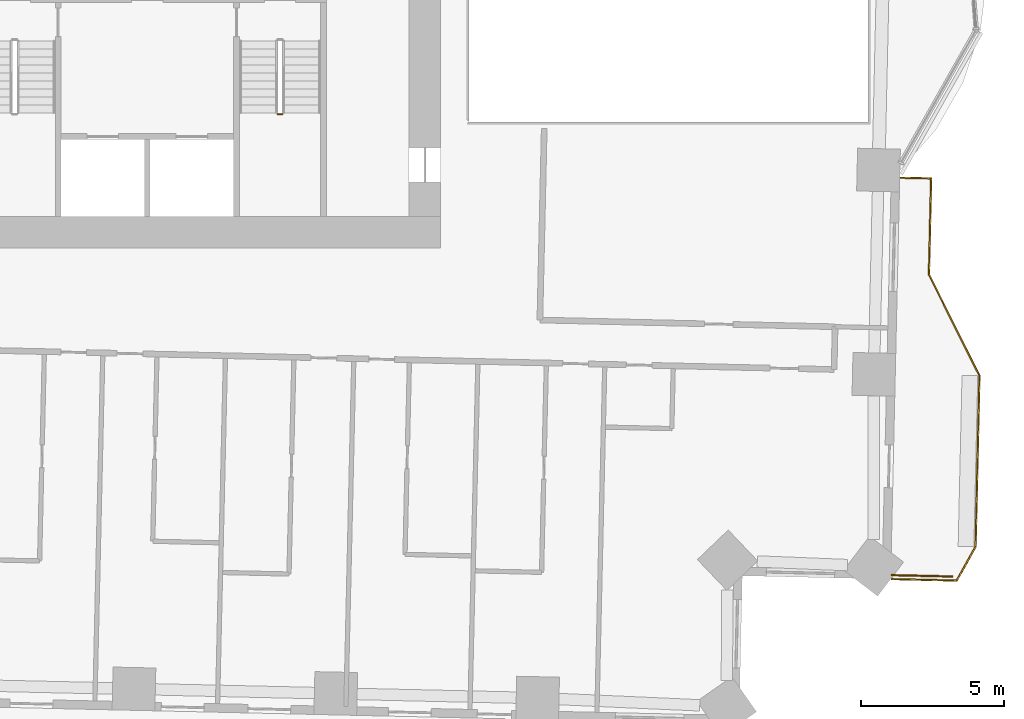
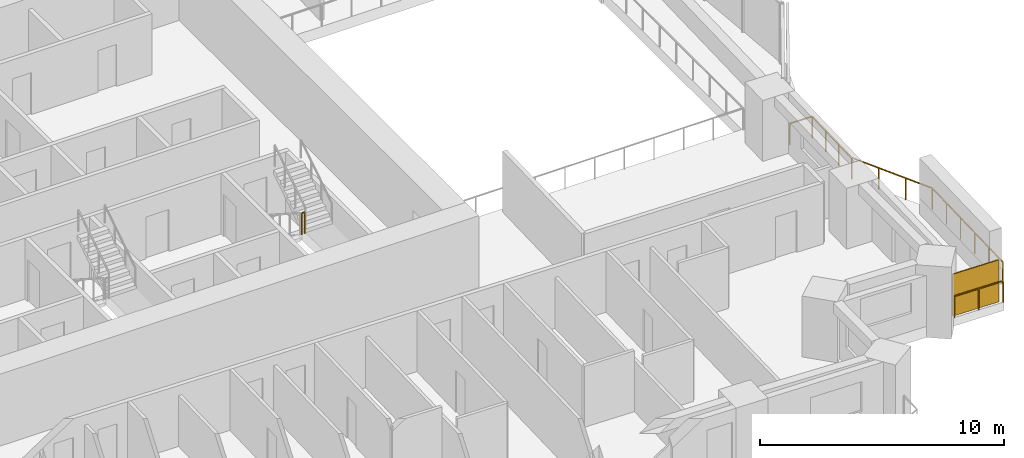
# One storey, part 18 of 20: 2 railings, 1 shading device.
"""IFC4 building model written with IfcOpenShell, lengths in metres."""

from ifc_helpers import new_model, si_unit, direction, frame, origin, origin_2d, place, context, subcontext, project, spatial, rectangle, extrude, material, type_object, element, save


model = new_model("IFC4")

# Units and contexts
model_context = context("Model", 3, precision=1e-05, world=origin(), true_north=direction((0.0, 1.0)))
body_context = subcontext(model_context, "Body", "Model", "MODEL_VIEW")
ifc_project = project(units=[si_unit("LENGTHUNIT", "METRE"), si_unit("AREAUNIT", "SQUARE_METRE"), si_unit("VOLUMEUNIT", "CUBIC_METRE"), si_unit("PLANEANGLEUNIT", "RADIAN"), si_unit("MASSUNIT", "GRAM", prefix="KILO")], contexts=[model_context])

# Site, building, storey
site_placement = place(None, origin())
site = spatial("IfcSite", under=ifc_project, at=site_placement, CompositionType="ELEMENT")
building_placement = place(site_placement, origin())
building = spatial("IfcBuilding", under=site, at=building_placement, Name="Mangrove Gate Tower", CompositionType="ELEMENT")
storey_placement = place(building_placement, frame((0.0, 0.0, 60.300048828125)))
storey = spatial("IfcBuildingStorey", under=building, at=storey_placement, Name="L14", CompositionType="ELEMENT", Elevation=60.300048828125)

# Railing
ifc_material_1 = material(Name="Stainless steel grade 316 with laminated glass infill", Category="steel")
railing_type_1 = type_object("IfcRailingType", Name="Balcony guard 1100", PredefinedType="GUARDRAIL", material=ifc_material_1)
railing_1_placement = place(storey_placement, frame((30.718994140625, -23.51611328125, 0.0)))
element("IfcRailing", 1, at=railing_1_placement, inside=storey, type_object=railing_type_1, Name="GUARD L14 E1", PredefinedType="GUARDRAIL", context=body_context, shape_type="SweptSolid", body=[
    extrude(rectangle(XDim=0.048095703125, YDim=0.048095703125, at=origin_2d()), frame((0.0, 0.0, 1.076171875), z_axis=(0.999739115747, -0.022840762807, 0.0), x_axis=(0.022840762807, 0.999739115747, 0.0)), (0.0, 0.0, 1.0), 2.276611328125),
    extrude(rectangle(XDim=0.048095703125, YDim=0.048095703125, at=origin_2d()), frame((2.276123046875, -0.052001953125, 1.076171875), z_axis=(0.487063035978, 0.873366818115, 0.0), x_axis=(-0.873366818115, 0.487063035978, 0.0)), (0.0, 0.0, 1.0), 1.35693359375),
    extrude(rectangle(XDim=0.048095703125, YDim=0.048095703125, at=origin_2d()), frame((2.93701171875, 1.133056640625, 1.076171875), z_axis=(0.022662255828, 0.999743178102, 0.0), x_axis=(-0.999743178102, 0.022662255828, 0.0)), (0.0, 0.0, 1.0), 6.00048828125),
    extrude(rectangle(XDim=0.048095703125, YDim=0.048095703125, at=origin_2d()), frame((3.072998046875, 7.132080078125, 1.076171875), z_axis=(-0.447114919141, 0.894476522376, 0.0), x_axis=(-0.894476522376, -0.447114919141, 0.0)), (0.0, 0.0, 1.0), 3.958740234375),
    extrude(rectangle(XDim=0.048095703125, YDim=0.048095703125, at=origin_2d()), frame((1.302978515625, 10.673095703125, 1.076171875), z_axis=(0.022497922048, 0.999746889719, 0.0), x_axis=(-0.999746889719, 0.022497922048, 0.0)), (0.0, 0.0, 1.0), 3.374755859375),
    extrude(rectangle(XDim=0.048095703125, YDim=0.048095703125, at=origin_2d()), frame((1.37890625, 14.047119140625, 1.076171875), z_axis=(-0.999744802133, 0.022590498181, 0.0), x_axis=(-0.022590498181, -0.999744802133, 0.0)), (0.0, 0.0, 1.0), 1.05908203125),
    extrude(rectangle(XDim=0.0419921875, YDim=0.0419921875, at=origin_2d()), origin(), (0.0, 0.0, 1.0), 1.052001953125),
    extrude(rectangle(XDim=0.0419921875, YDim=0.0419921875, at=origin_2d()), frame((1.13818359375, -0.02587890625, 0.0)), (0.0, 0.0, 1.0), 1.052001953125),
    extrude(rectangle(XDim=0.0419921875, YDim=0.0419921875, at=origin_2d()), frame((2.276123046875, -0.052001953125, 0.0)), (0.0, 0.0, 1.0), 1.052001953125),
    extrude(rectangle(XDim=0.0419921875, YDim=0.0419921875, at=origin_2d()), frame((2.93701171875, 1.133056640625, 0.0)), (0.0, 0.0, 1.0), 1.052001953125),
    extrude(rectangle(XDim=0.0419921875, YDim=0.0419921875, at=origin_2d()), frame((2.964111328125, 2.332763671875, 0.0)), (0.0, 0.0, 1.0), 1.052001953125),
    extrude(rectangle(XDim=0.0419921875, YDim=0.0419921875, at=origin_2d()), frame((2.991455078125, 3.53271484375, 0.0)), (0.0, 0.0, 1.0), 1.052001953125),
    extrude(rectangle(XDim=0.0419921875, YDim=0.0419921875, at=origin_2d()), frame((3.0185546875, 4.732421875, 0.0)), (0.0, 0.0, 1.0), 1.052001953125),
    extrude(rectangle(XDim=0.0419921875, YDim=0.0419921875, at=origin_2d()), frame((3.0458984375, 5.932373046875, 0.0)), (0.0, 0.0, 1.0), 1.052001953125),
    extrude(rectangle(XDim=0.0419921875, YDim=0.0419921875, at=origin_2d()), frame((3.072998046875, 7.132080078125, 0.0)), (0.0, 0.0, 1.0), 1.052001953125),
    extrude(rectangle(XDim=0.0419921875, YDim=0.0419921875, at=origin_2d()), frame((2.48291015625, 8.3125, 0.0)), (0.0, 0.0, 1.0), 1.052001953125),
    extrude(rectangle(XDim=0.0419921875, YDim=0.0419921875, at=origin_2d()), frame((1.89306640625, 9.49267578125, 0.0)), (0.0, 0.0, 1.0), 1.052001953125),
    extrude(rectangle(XDim=0.0419921875, YDim=0.0419921875, at=origin_2d()), frame((1.302978515625, 10.673095703125, 0.0)), (0.0, 0.0, 1.0), 1.052001953125),
    extrude(rectangle(XDim=0.0419921875, YDim=0.0419921875, at=origin_2d()), frame((1.328369140625, 11.7978515625, 0.0)), (0.0, 0.0, 1.0), 1.052001953125),
    extrude(rectangle(XDim=0.0419921875, YDim=0.0419921875, at=origin_2d()), frame((1.353515625, 12.92236328125, 0.0)), (0.0, 0.0, 1.0), 1.052001953125),
    extrude(rectangle(XDim=0.0419921875, YDim=0.0419921875, at=origin_2d()), frame((1.37890625, 14.047119140625, 0.0)), (0.0, 0.0, 1.0), 1.052001953125),
    extrude(rectangle(XDim=0.0419921875, YDim=0.0419921875, at=origin_2d()), frame((0.320068359375, 14.071044921875, 0.0)), (0.0, 0.0, 1.0), 1.052001953125),
])

# Shading device
ifc_material_2 = material(Name="Timber slat screen in teak", Category="wood")
shading_device_type = type_object("IfcShadingDeviceType", Name="Balcony screen 2100", PredefinedType="USERDEFINED", material=ifc_material_2)
shading_device_placement = place(storey_placement, frame((31.780029296875, -23.39990234375, 0.0), z_axis=(0.0, 0.0, 1.0), x_axis=(0.999737435996, -0.02291416739, 0.0)))
element("IfcShadingDevice", 2, at=shading_device_placement, inside=storey, type_object=shading_device_type, Name="SCREEN L14 E0", ObjectType="SCREEN", PredefinedType="USERDEFINED", context=body_context, shape_type="SweptSolid", body=[
    extrude(rectangle(XDim=2.156982421875, YDim=0.050048828125, at=origin_2d()), origin(), (0.0, 0.0, 1.0), 2.10009765625),
])

# Railing
ifc_material_3 = material(Name="Stainless steel 316", Category="steel")
railing_type_2 = type_object("IfcRailingType", Name="Core stair guard 1100", PredefinedType="GUARDRAIL", material=ifc_material_3)
railing_2_placement = place(storey_placement, frame((9.199951171875, -7.219970703125, 1.800048828125)))
element("IfcRailing", 3, at=railing_2_placement, inside=storey, type_object=railing_type_2, Name="L14 ST3 stair guard 2", PredefinedType="GUARDRAIL", context=body_context, shape_type="SweptSolid", body=[
    extrude(rectangle(XDim=0.048095703125, YDim=0.048095703125, at=origin_2d()), frame((0.0, 0.0, 1.076171875), z_axis=(1.0, 0.0, 0.0), x_axis=(0.0, 1.0, 0.0)), (0.0, 0.0, 1.0), 0.150146484375),
    extrude(rectangle(XDim=0.0419921875, YDim=0.0419921875, at=origin_2d()), origin(), (0.0, 0.0, 1.0), 1.052001953125),
    extrude(rectangle(XDim=0.0419921875, YDim=0.0419921875, at=origin_2d()), frame((0.150146484375, 0.0, 0.0)), (0.0, 0.0, 1.0), 1.052001953125),
])

save(model, "model.ifc")
